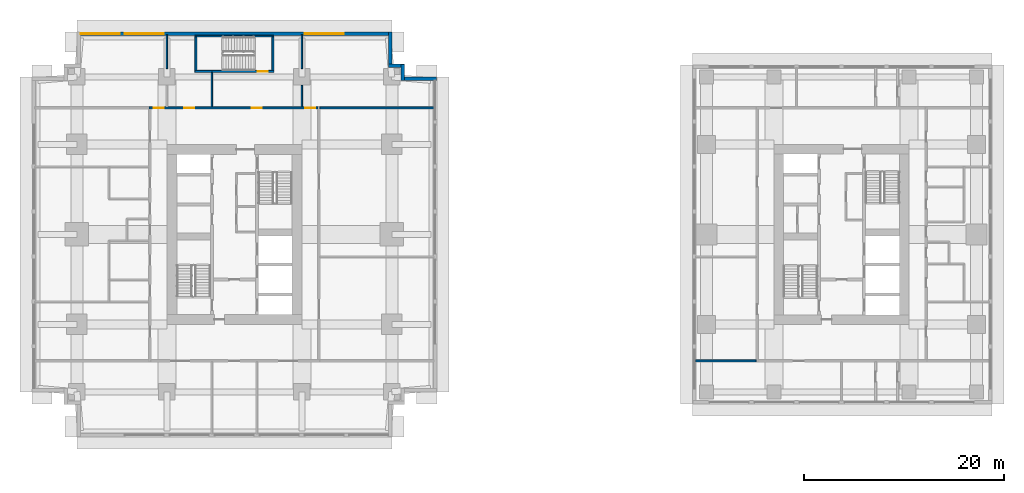
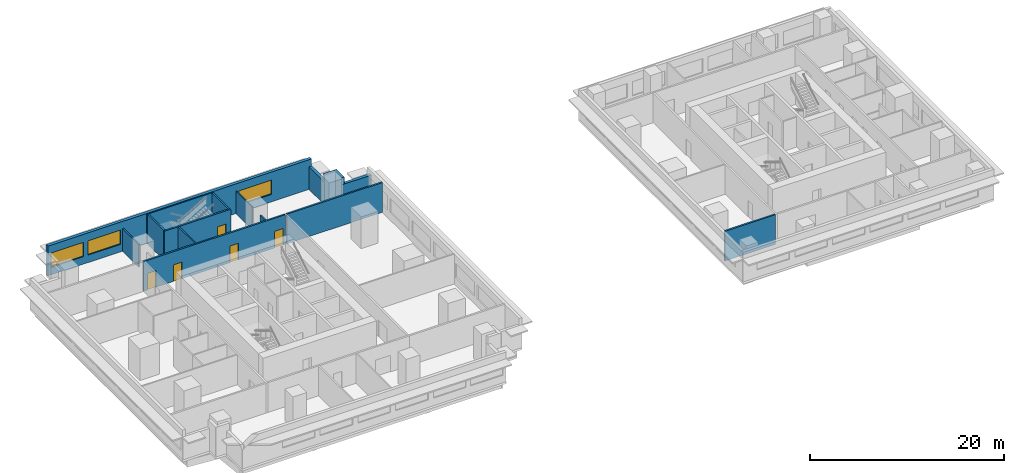
# One storey, part 5 of 11: 16 walls, 5 doors, 3 windows, 8 openings.
"""IFC4 building model written with IfcOpenShell, lengths in metres."""

from ifc_helpers import new_model, si_unit, direction, frame, frame_2d, origin, place, context, subcontext, project, spatial, rectangle, extrude, material, layer, layer_set, type_object, element, fill, save


model = new_model("IFC4")

# Units and contexts
model_context = context("Model", 3, precision=1e-05, world=origin(), true_north=direction((0.0, 1.0)))
body_context = subcontext(model_context, "Body", "Model", "MODEL_VIEW")
ifc_project = project(units=[si_unit("LENGTHUNIT", "METRE"), si_unit("AREAUNIT", "SQUARE_METRE"), si_unit("VOLUMEUNIT", "CUBIC_METRE"), si_unit("PLANEANGLEUNIT", "RADIAN"), si_unit("MASSUNIT", "GRAM", prefix="KILO")], contexts=[model_context])

# Site, building, storey
site_placement = place(None, origin())
site = spatial("IfcSite", under=ifc_project, at=site_placement, CompositionType="ELEMENT")
building_placement = place(site_placement, origin())
building = spatial("IfcBuilding", under=site, at=building_placement, Name="Namib Vertical Campus", CompositionType="ELEMENT")
storey_placement = place(building_placement, frame((0.0, 0.0, 193.0)))
storey = spatial("IfcBuildingStorey", under=building, at=storey_placement, Name="L45", CompositionType="ELEMENT", Elevation=193.0)

# Wall, openings, doors
ifc_material_1 = material(Name="Concrete masonry", Category="masonry")
ifc_layer_1 = layer(ifc_material_1, 0.199951171875)
ifc_layer_set_1 = layer_set([ifc_layer_1], Name="Corridor wall 200")
wall_type_1 = type_object("IfcWallType", Name="Corridor wall 200", PredefinedType="SOLIDWALL", material=ifc_layer_set_1)
wall_1_placement = place(storey_placement, frame((28.60009765625, 32.89990234375, 0.0), z_axis=(0.0, 0.0, 1.0), x_axis=(-1.0, 0.0, 0.0)))
wall_1 = element("IfcWall", 1, at=wall_1_placement, inside=storey, type_object=wall_type_1, Name="Corridor wall A L45 CN", PredefinedType="SOLIDWALL", context=body_context, shape_type="SweptSolid", body=[
    extrude(rectangle(XDim=16.900146484375, YDim=0.199951171875, at=frame_2d((8.4501953125, 0.0))), origin(), (0.0, 0.0, 1.0), 3.75),
])
opening_1_placement = place(wall_1_placement, frame((15.425048828125, 0.0, 0.0)))
opening_1 = element("IfcOpeningElement", 2, at=opening_1_placement, cuts=wall_1, Name="Opening CD1", PredefinedType="OPENING", context=body_context, shape_type="SweptSolid", body=[
    extrude(rectangle(XDim=1.0, YDim=2.10009765625, at=frame_2d((0.5, 1.050048828125))), frame((0.0, 0.10986328125, 0.0), z_axis=(0.0, -1.0, 0.0), x_axis=(1.0, 0.0, 0.0)), (0.0, 0.0, 1.0), 0.219970703125),
])
opening_2_placement = place(wall_1_placement, frame((12.35009765625, 0.0, 0.0)))
opening_2 = element("IfcOpeningElement", 3, at=opening_2_placement, cuts=wall_1, Name="Opening CD1", PredefinedType="OPENING", context=body_context, shape_type="SweptSolid", body=[
    extrude(rectangle(XDim=1.0, YDim=2.10009765625, at=frame_2d((0.5, 1.050048828125))), frame((0.0, 0.10986328125, 0.0), z_axis=(0.0, -1.0, 0.0), x_axis=(1.0, 0.0, 0.0)), (0.0, 0.0, 1.0), 0.219970703125),
])
opening_3_placement = place(wall_1_placement, frame((5.60009765625, 0.0, 0.0)))
opening_3 = element("IfcOpeningElement", 4, at=opening_3_placement, cuts=wall_1, Name="Opening CD1", PredefinedType="OPENING", context=body_context, shape_type="SweptSolid", body=[
    extrude(rectangle(XDim=1.0, YDim=2.10009765625, at=frame_2d((0.5, 1.050048828125))), frame((0.0, 0.10986328125, 0.0), z_axis=(0.0, -1.0, 0.0), x_axis=(1.0, 0.0, 0.0)), (0.0, 0.0, 1.0), 0.219970703125),
])
opening_4_placement = place(wall_1_placement, frame((0.27490234375, 0.0, 0.0)))
opening_4 = element("IfcOpeningElement", 5, at=opening_4_placement, cuts=wall_1, Name="Opening CD1", PredefinedType="OPENING", context=body_context, shape_type="SweptSolid", body=[
    extrude(rectangle(XDim=1.0, YDim=2.10009765625, at=frame_2d((0.5, 1.050048828125))), frame((0.0, 0.10986328125, 0.0), z_axis=(0.0, -1.0, 0.0), x_axis=(1.0, 0.0, 0.0)), (0.0, 0.0, 1.0), 0.219970703125),
])
ifc_material_2 = material(Name="Timber fire door leaf", Category="wood")
door_type_1 = type_object("IfcDoorType", Name="Corridor door 1000x2100 20 min", OperationType="SINGLE_SWING_LEFT", PredefinedType="DOOR", material=ifc_material_2)
door_1_placement = place(opening_1_placement, frame((1.0, 0.0, 0.0), z_axis=(0.0, 0.0, 1.0), x_axis=(-1.0, 0.0, 0.0)))
door_1 = element("IfcDoor", 6, at=door_1_placement, inside=storey, type_object=door_type_1, Name="Door CD1 A45-06", OperationType="SINGLE_SWING_RIGHT", OverallHeight=2.10009765625, OverallWidth=1.0, PredefinedType="DOOR", context=body_context, shape_type="SweptSolid", body=[
    extrude(rectangle(XDim=1.0, YDim=2.10009765625, at=frame_2d((0.5, 1.050048828125))), frame((0.0, 0.02490234375, 0.0), z_axis=(0.0, -1.0, 0.0), x_axis=(1.0, 0.0, 0.0)), (0.0, 0.0, 1.0), 0.050048828125),
])
fill(opening_1, door_1)
door_2_placement = place(opening_2_placement, frame((1.0, 0.0, 0.0), z_axis=(0.0, 0.0, 1.0), x_axis=(-1.0, 0.0, 0.0)))
door_2 = element("IfcDoor", 7, at=door_2_placement, inside=storey, type_object=door_type_1, Name="Door CD1 A45-07", OperationType="SINGLE_SWING_RIGHT", OverallHeight=2.10009765625, OverallWidth=1.0, PredefinedType="DOOR", context=body_context, shape_type="SweptSolid", body=[
    extrude(rectangle(XDim=1.0, YDim=2.10009765625, at=frame_2d((0.5, 1.050048828125))), frame((0.0, 0.02490234375, 0.0), z_axis=(0.0, -1.0, 0.0), x_axis=(1.0, 0.0, 0.0)), (0.0, 0.0, 1.0), 0.050048828125),
])
fill(opening_2, door_2)
door_3_placement = place(opening_3_placement, frame((1.0, 0.0, 0.0), z_axis=(0.0, 0.0, 1.0), x_axis=(-1.0, 0.0, 0.0)))
door_3 = element("IfcDoor", 8, at=door_3_placement, inside=storey, type_object=door_type_1, Name="Door CD1 A45-08", OperationType="SINGLE_SWING_RIGHT", OverallHeight=2.10009765625, OverallWidth=1.0, PredefinedType="DOOR", context=body_context, shape_type="SweptSolid", body=[
    extrude(rectangle(XDim=1.0, YDim=2.10009765625, at=frame_2d((0.5, 1.050048828125))), frame((0.0, 0.02490234375, 0.0), z_axis=(0.0, -1.0, 0.0), x_axis=(1.0, 0.0, 0.0)), (0.0, 0.0, 1.0), 0.050048828125),
])
fill(opening_3, door_3)
door_4_placement = place(opening_4_placement, frame((1.0, 0.0, 0.0), z_axis=(0.0, 0.0, 1.0), x_axis=(-1.0, 0.0, 0.0)))
door_4 = element("IfcDoor", 9, at=door_4_placement, inside=storey, type_object=door_type_1, Name="Door CD1 A45-09", OperationType="SINGLE_SWING_LEFT", OverallHeight=2.10009765625, OverallWidth=1.0, PredefinedType="DOOR", context=body_context, shape_type="SweptSolid", body=[
    extrude(rectangle(XDim=1.0, YDim=2.10009765625, at=frame_2d((0.5, 1.050048828125))), frame((0.0, 0.02490234375, 0.0), z_axis=(0.0, -1.0, 0.0), x_axis=(1.0, 0.0, 0.0)), (0.0, 0.0, 1.0), 0.050048828125),
])
fill(opening_4, door_4)

# Walls
wall_2_placement = place(storey_placement, frame((28.800048828125, 32.89990234375, 0.0), z_axis=(0.0, 0.0, 1.0), x_axis=(1.0, 0.0, 0.0)))
element("IfcWall", 10, at=wall_2_placement, inside=storey, type_object=wall_type_1, Name="Partition A L45 BNE", PredefinedType="SOLIDWALL", context=body_context, shape_type="SweptSolid", body=[
    extrude(rectangle(XDim=11.39990234375, YDim=0.199951171875, at=frame_2d((5.699951171875, 0.0))), origin(), (0.0, 0.0, 1.0), 3.75),
])
wall_3_placement = place(storey_placement, frame((66.39990234375, 7.60009765625, 0.0), z_axis=(0.0, 0.0, 1.0), x_axis=(1.0, 0.0, 0.0)))
element("IfcWall", 11, at=wall_3_placement, inside=storey, type_object=wall_type_1, Name="Partition B L45 BSW", PredefinedType="SOLIDWALL", context=body_context, shape_type="SweptSolid", body=[
    extrude(rectangle(XDim=6.050048828125, YDim=0.199951171875, at=frame_2d((3.02490234375, 0.0))), origin(), (0.0, 0.0, 1.0), 3.75),
])
ifc_material_3 = material(Name="Concrete C40/50", Category="concrete")
ifc_layer_2 = layer(ifc_material_3, 0.35009765625)
ifc_layer_set_2 = layer_set([ifc_layer_2], Name="Concrete C40/50")
wall_type_2 = type_object("IfcWallType", Name="External wall 350 bush-hammered concrete", PredefinedType="STANDARD", material=ifc_layer_set_2)
wall_4_placement = place(storey_placement, frame((40.47998046875, 35.824951171875, 0.0), z_axis=(0.0, 0.0, 1.0), x_axis=(-1.0, 0.0, 0.0)))
element("IfcWall", 12, at=wall_4_placement, inside=storey, type_object=wall_type_2, Name="External wall L45 F07", PredefinedType="STANDARD", context=body_context, shape_type="SweptSolid", body=[
    extrude(rectangle(XDim=3.534912109375, YDim=0.35009765625, at=frame_2d((1.767578125, 0.0))), origin(), (0.0, 0.0, 1.0), 2.85009765625),
])
for number, where, z_axis, x_axis, name in (
    (13, (37.10009765625, 35.669921875, 0.0), (0.0, 0.0, 1.0), (0.0, 1.0, 0.0), "External wall L45 F08"),
    (14, (37.2548828125, 37.10009765625, 0.0), (0.0, 0.0, 1.0), (-1.0, 0.0, 0.0), "External wall L45 F09"),
):
    element("IfcWall", number, at=place(storey_placement, frame(where, z_axis=z_axis, x_axis=x_axis)), inside=storey, type_object=wall_type_2, Name=name, PredefinedType="STANDARD", context=body_context, shape_type="SweptSolid", body=[
        extrude(rectangle(XDim=1.5849609375, YDim=0.35009765625, at=frame_2d((0.79248046875, 0.0))), origin(), (0.0, 0.0, 1.0), 3.75),
    ])
wall_5_placement = place(storey_placement, frame((35.824951171875, 36.945068359375, 0.0), z_axis=(0.0, 0.0, 1.0), x_axis=(0.0, 1.0, 0.0)))
element("IfcWall", 15, at=wall_5_placement, inside=storey, type_object=wall_type_2, Name="External wall L45 F10", PredefinedType="STANDARD", context=body_context, shape_type="SweptSolid", body=[
    extrude(rectangle(XDim=3.534912109375, YDim=0.35009765625, at=frame_2d((1.767578125, 0.0))), origin(), (0.0, 0.0, 1.0), 2.85009765625),
])

# Wall, openings, windows
wall_6_placement = place(storey_placement, frame((35.97998046875, 40.324951171875, 0.0), z_axis=(0.0, 0.0, 1.0), x_axis=(-1.0, 0.0, 0.0)))
wall_6 = element("IfcWall", 16, at=wall_6_placement, inside=storey, type_object=wall_type_2, Name="External wall L45 F11", PredefinedType="STANDARD", context=body_context, shape_type="SweptSolid", body=[
    extrude(rectangle(XDim=31.4599609375, YDim=0.35009765625, at=frame_2d((15.72998046875, 0.0))), origin(), (0.0, 0.0, 1.0), 3.75),
])
opening_5_placement = place(wall_6_placement, frame((27.2099609375, 0.0, 0.949951171875)))
opening_5 = element("IfcOpeningElement", 17, at=opening_5_placement, cuts=wall_6, Name="Opening W3", PredefinedType="OPENING", context=body_context, shape_type="SweptSolid", body=[
    extrude(rectangle(XDim=3.89990234375, YDim=1.800048828125, at=frame_2d((1.949951171875, 0.89990234375))), frame((0.0, 0.18505859375, 0.0), z_axis=(0.0, -1.0, 0.0), x_axis=(1.0, 0.0, 0.0)), (0.0, 0.0, 1.0), 0.3701171875),
])
opening_6_placement = place(wall_6_placement, frame((22.780029296875, 0.0, 0.949951171875)))
opening_6 = element("IfcOpeningElement", 18, at=opening_6_placement, cuts=wall_6, Name="Opening W3", PredefinedType="OPENING", context=body_context, shape_type="SweptSolid", body=[
    extrude(rectangle(XDim=3.89990234375, YDim=1.800048828125, at=frame_2d((1.949951171875, 0.89990234375))), frame((0.0, 0.18505859375, 0.0), z_axis=(0.0, -1.0, 0.0), x_axis=(1.0, 0.0, 0.0)), (0.0, 0.0, 1.0), 0.3701171875),
])
opening_7_placement = place(wall_6_placement, frame((4.780029296875, 0.0, 0.949951171875)))
opening_7 = element("IfcOpeningElement", 19, at=opening_7_placement, cuts=wall_6, Name="Opening W3", PredefinedType="OPENING", context=body_context, shape_type="SweptSolid", body=[
    extrude(rectangle(XDim=3.89990234375, YDim=1.800048828125, at=frame_2d((1.949951171875, 0.89990234375))), frame((0.0, 0.18505859375, 0.0), z_axis=(0.0, -1.0, 0.0), x_axis=(1.0, 0.0, 0.0)), (0.0, 0.0, 1.0), 0.3701171875),
])
ifc_material_4 = material(Name="Dark tinted glass in black aluminium frame", Category="aluminium")
window_type = type_object("IfcWindowType", Name="Ribbon window 3900x1800", PartitioningType="SINGLE_PANEL", PredefinedType="WINDOW", material=ifc_material_4)
window_1_placement = place(opening_5_placement, origin())
window_1 = element("IfcWindow", 20, at=window_1_placement, inside=storey, type_object=window_type, Name="Window W3 L45 F11-1", OverallHeight=1.800048828125, OverallWidth=3.89990234375, PartitioningType="SINGLE_PANEL", PredefinedType="WINDOW", context=body_context, shape_type="SweptSolid", body=[
    extrude(rectangle(XDim=3.89990234375, YDim=1.800048828125, at=frame_2d((1.949951171875, 0.89990234375))), frame((0.0, 0.030029296875, 0.0), z_axis=(0.0, -1.0, 0.0), x_axis=(1.0, 0.0, 0.0)), (0.0, 0.0, 1.0), 0.06005859375),
])
fill(opening_5, window_1)
window_2_placement = place(opening_6_placement, origin())
window_2 = element("IfcWindow", 21, at=window_2_placement, inside=storey, type_object=window_type, Name="Window W3 L45 F11-2", OverallHeight=1.800048828125, OverallWidth=3.89990234375, PartitioningType="SINGLE_PANEL", PredefinedType="WINDOW", context=body_context, shape_type="SweptSolid", body=[
    extrude(rectangle(XDim=3.89990234375, YDim=1.800048828125, at=frame_2d((1.949951171875, 0.89990234375))), frame((0.0, 0.030029296875, 0.0), z_axis=(0.0, -1.0, 0.0), x_axis=(1.0, 0.0, 0.0)), (0.0, 0.0, 1.0), 0.06005859375),
])
fill(opening_6, window_2)
window_3_placement = place(opening_7_placement, origin())
window_3 = element("IfcWindow", 22, at=window_3_placement, inside=storey, type_object=window_type, Name="Window W3 L45 F11-6", OverallHeight=1.800048828125, OverallWidth=3.89990234375, PartitioningType="SINGLE_PANEL", PredefinedType="WINDOW", context=body_context, shape_type="SweptSolid", body=[
    extrude(rectangle(XDim=3.89990234375, YDim=1.800048828125, at=frame_2d((1.949951171875, 0.89990234375))), frame((0.0, 0.030029296875, 0.0), z_axis=(0.0, -1.0, 0.0), x_axis=(1.0, 0.0, 0.0)), (0.0, 0.0, 1.0), 0.06005859375),
])
fill(opening_7, window_3)

# Walls
ifc_material_5 = material(Name="Gypsum board on steel studs", Category="steel")
ifc_layer_3 = layer(ifc_material_5, 0.14990234375)
ifc_layer_set_3 = layer_set([ifc_layer_3], Name="Gypsum board on steel studs")
wall_type_3 = type_object("IfcWallType", Name="Partition 150", PredefinedType="PARTITIONING", material=ifc_layer_set_3)
wall_7_placement = place(storey_placement, frame((13.5, 36.844970703125, 0.0), z_axis=(0.0, 0.0, 1.0), x_axis=(0.0, 1.0, 0.0)))
element("IfcWall", 23, at=wall_7_placement, inside=storey, type_object=wall_type_3, Name="Partition A L45 PN1", PredefinedType="PARTITIONING", context=body_context, shape_type="SweptSolid", body=[
    extrude(rectangle(XDim=3.35498046875, YDim=0.14990234375, at=frame_2d((1.677490234375, 0.0))), origin(), (0.0, 0.0, 1.0), 2.85009765625),
])
wall_8_placement = place(storey_placement, frame((18.0, 33.0, 0.0), z_axis=(0.0, 0.0, 1.0), x_axis=(0.0, 1.0, 0.0)))
element("IfcWall", 24, at=wall_8_placement, inside=storey, type_object=wall_type_3, Name="Partition A L45 PN2", PredefinedType="PARTITIONING", context=body_context, shape_type="SweptSolid", body=[
    extrude(rectangle(XDim=3.449951171875, YDim=0.14990234375, at=frame_2d((1.72509765625, 0.0))), origin(), (0.0, 0.0, 1.0), 3.75),
])
wall_9_placement = place(storey_placement, frame((27.0, 33.0, 0.0), z_axis=(0.0, 0.0, 1.0), x_axis=(0.0, 1.0, 0.0)))
element("IfcWall", 25, at=wall_9_placement, inside=storey, type_object=wall_type_3, Name="Partition A L45 PN3", PredefinedType="PARTITIONING", context=body_context, shape_type="SweptSolid", body=[
    extrude(rectangle(XDim=2.155029296875, YDim=0.14990234375, at=frame_2d((1.07763671875, 0.0))), origin(), (0.0, 0.0, 1.0), 2.85009765625),
])
wall_10_placement = place(storey_placement, frame((27.0, 36.844970703125, 0.0), z_axis=(0.0, 0.0, 1.0), x_axis=(0.0, 1.0, 0.0)))
element("IfcWall", 26, at=wall_10_placement, inside=storey, type_object=wall_type_3, Name="Partition A L45 PN3", PredefinedType="PARTITIONING", context=body_context, shape_type="SweptSolid", body=[
    extrude(rectangle(XDim=3.35498046875, YDim=0.14990234375, at=frame_2d((1.677490234375, 0.0))), origin(), (0.0, 0.0, 1.0), 2.85009765625),
])
ifc_material_6 = material(Name="Concrete C40/50", Category="concrete")
ifc_layer_4 = layer(ifc_material_6, 0.14990234375)
ifc_layer_set_4 = layer_set([ifc_layer_4], Name="Concrete C40/50")
wall_type_4 = type_object("IfcWallType", Name="Stair enclosure wall RC 150", PredefinedType="SOLIDWALL", material=ifc_layer_set_4)
wall_11_placement = place(storey_placement, frame((16.300048828125, 40.074951171875, 0.0), z_axis=(0.0, 0.0, 1.0), x_axis=(1.0, 0.0, 0.0)))
element("IfcWall", 27, at=wall_11_placement, inside=storey, type_object=wall_type_4, Name="Stair enclosure wall A-S3 L45 N", PredefinedType="SOLIDWALL", context=body_context, shape_type="SweptSolid", body=[
    extrude(rectangle(XDim=7.89990234375, YDim=0.14990234375, at=frame_2d((3.949951171875, 0.0))), origin(), (0.0, 0.0, 1.0), 3.75),
])

# Wall, opening, door
ifc_material_7 = material(Name="Concrete C40/50", Category="concrete")
ifc_layer_5 = layer(ifc_material_7, 0.199951171875)
ifc_layer_set_5 = layer_set([ifc_layer_5], Name="Concrete C40/50")
wall_type_5 = type_object("IfcWallType", Name="Stair enclosure wall RC 200", PredefinedType="SOLIDWALL", material=ifc_layer_set_5)
wall_12_placement = place(storey_placement, frame((16.300048828125, 36.550048828125, 0.0), z_axis=(0.0, 0.0, 1.0), x_axis=(1.0, 0.0, 0.0)))
wall_12 = element("IfcWall", 28, at=wall_12_placement, inside=storey, type_object=wall_type_5, Name="Stair enclosure wall A-S3 L45 S", PredefinedType="SOLIDWALL", context=body_context, shape_type="SweptSolid", body=[
    extrude(rectangle(XDim=7.89990234375, YDim=0.199951171875, at=frame_2d((3.949951171875, 0.0))), origin(), (0.0, 0.0, 1.0), 3.75),
])
opening_8_placement = place(wall_12_placement, frame((6.300048828125, 0.0, 0.0)))
opening_8 = element("IfcOpeningElement", 29, at=opening_8_placement, cuts=wall_12, Name="Opening FD1", PredefinedType="OPENING", context=body_context, shape_type="SweptSolid", body=[
    extrude(rectangle(XDim=1.0, YDim=2.10009765625, at=frame_2d((0.5, 1.050048828125))), frame((0.0, 0.10986328125, 0.0), z_axis=(0.0, -1.0, 0.0), x_axis=(1.0, 0.0, 0.0)), (0.0, 0.0, 1.0), 0.219970703125),
])
ifc_material_8 = material(Name="Steel fire door", Category="steel")
door_type_2 = type_object("IfcDoorType", Name="Fire door 1000x2100", OperationType="SINGLE_SWING_RIGHT", PredefinedType="DOOR", material=ifc_material_8)
door_5_placement = place(opening_8_placement, origin())
door_5 = element("IfcDoor", 30, at=door_5_placement, inside=storey, type_object=door_type_2, Name="Stair door FD1 A L45 S3", OperationType="SINGLE_SWING_RIGHT", OverallHeight=2.10009765625, OverallWidth=1.0, PredefinedType="DOOR", context=body_context, shape_type="SweptSolid", body=[
    extrude(rectangle(XDim=1.0, YDim=2.10009765625, at=frame_2d((0.5, 1.050048828125))), frame((0.0, 0.02490234375, 0.0), z_axis=(0.0, -1.0, 0.0), x_axis=(1.0, 0.0, 0.0)), (0.0, 0.0, 1.0), 0.050048828125),
])
fill(opening_8, door_5)

# Walls
for number, where, z_axis, x_axis, name in (
    (31, (16.39990234375, 36.64990234375, 0.0), (0.0, 0.0, 1.0), (0.0, 1.0, 0.0), "Stair enclosure wall A-S3 L45 W"),
    (32, (24.10009765625, 36.64990234375, 0.0), (0.0, 0.0, 1.0), (0.0, 1.0, 0.0), "Stair enclosure wall A-S3 L45 E"),
):
    element("IfcWall", number, at=place(storey_placement, frame(where, z_axis=z_axis, x_axis=x_axis)), inside=storey, type_object=wall_type_5, Name=name, PredefinedType="SOLIDWALL", context=body_context, shape_type="SweptSolid", body=[
        extrude(rectangle(XDim=3.35009765625, YDim=0.199951171875, at=frame_2d((1.675048828125, 0.0))), origin(), (0.0, 0.0, 1.0), 3.75),
    ])

save(model, "model.ifc")
